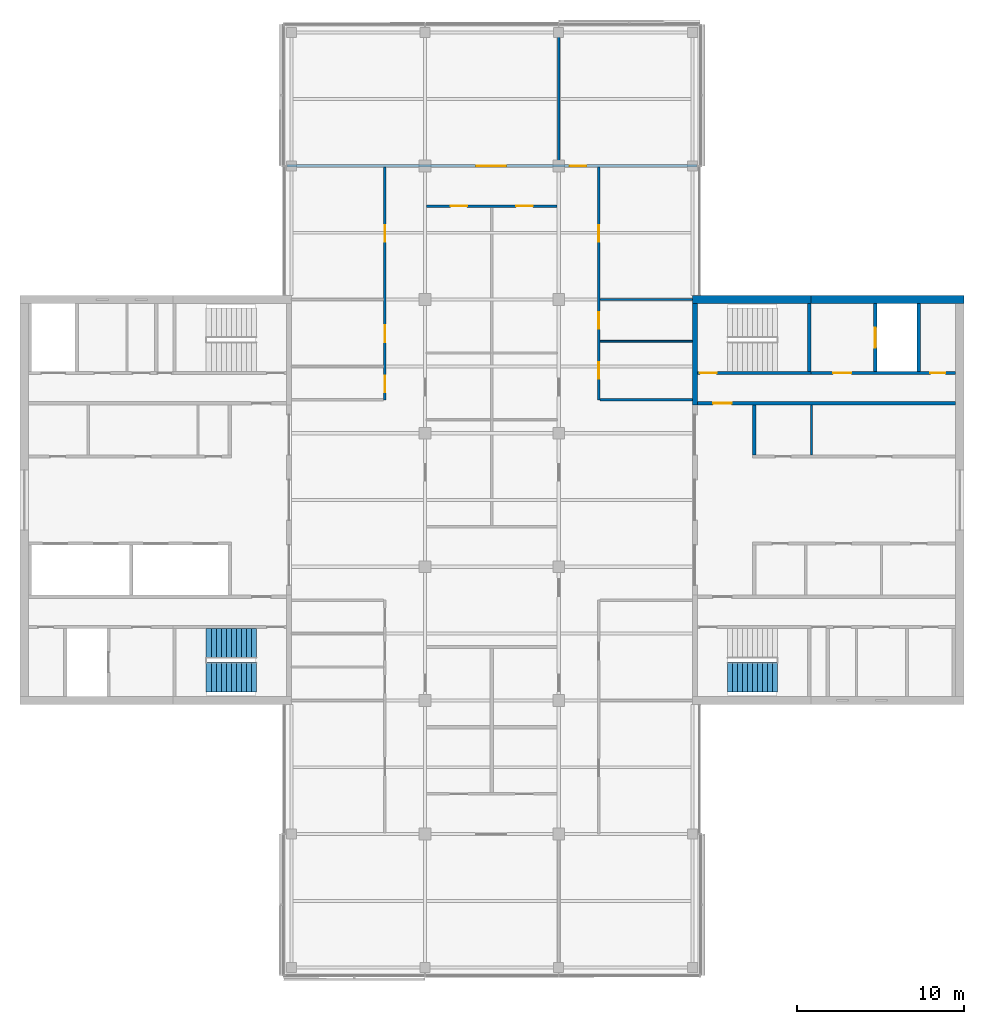
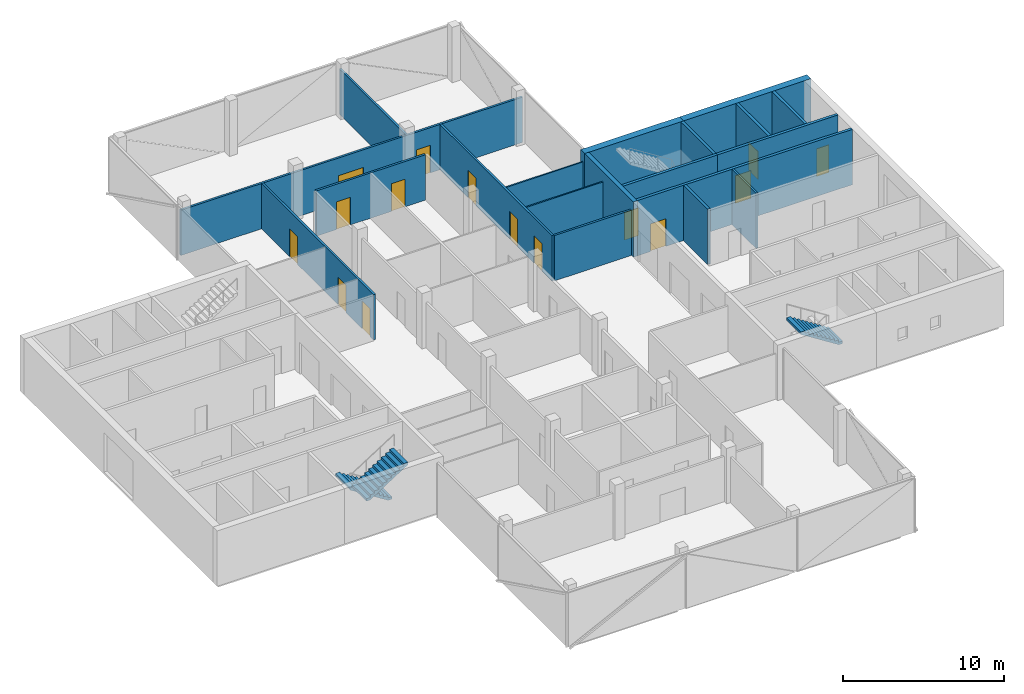
# One storey, part 12 of 16: 19 walls, 15 doors, 3 stair flights, 15 openings, 2 elements without a shape of their own.
"""IFC4 building model written with IfcOpenShell, lengths in metres."""

from ifc_helpers import new_model, si_unit, direction, frame, frame_2d, origin, place, context, subcontext, project, spatial, polyline, rectangle, outline, extrude, material, layer, layer_set, constituent, constituent_set, type_object, element, fill, aggregate, save


model = new_model("IFC4")

# Units and contexts
model_context = context("Model", 3, precision=1e-05, world=origin(), true_north=direction((0.0, 1.0)))
body_context = subcontext(model_context, "Body", "Model", "MODEL_VIEW")
ifc_project = project(units=[si_unit("LENGTHUNIT", "METRE"), si_unit("AREAUNIT", "SQUARE_METRE"), si_unit("VOLUMEUNIT", "CUBIC_METRE"), si_unit("PLANEANGLEUNIT", "RADIAN"), si_unit("MASSUNIT", "GRAM", prefix="KILO")], contexts=[model_context])

# Site, building, storey
site_placement = place(None, origin())
site = spatial("IfcSite", under=ifc_project, at=site_placement, CompositionType="ELEMENT")
building_placement = place(site_placement, origin())
building = spatial("IfcBuilding", under=site, at=building_placement, Name="Crosswind Convention Tower", CompositionType="ELEMENT")
storey_placement = place(building_placement, frame((0.0, 0.0, 278.699951171875)))
storey = spatial("IfcBuildingStorey", under=building, at=storey_placement, Name="L60", CompositionType="ELEMENT", Elevation=278.699951171875)

# Walls
ifc_material_1 = material(Name="Concrete C50/60", Category="concrete")
ifc_layer_1 = layer(ifc_material_1, 0.300048828125)
ifc_layer_set_1 = layer_set([ifc_layer_1], Name="Concrete C50/60")
wall_type_1 = type_object("IfcWallType", Name="Concrete inner core wall 300", PredefinedType="SHEAR", material=ifc_layer_set_1)
wall_1_placement = place(storey_placement, frame((137.14990234375, 105.699951171875, 0.0), z_axis=(0.0, 0.0, 1.0), x_axis=(0.0, 1.0, 0.0)))
element("IfcWall", 1, at=wall_1_placement, inside=storey, type_object=wall_type_1, Name="Wall EP E L60", PredefinedType="SHEAR", context=body_context, shape_type="SweptSolid", body=[
    extrude(rectangle(XDim=6.050048828125, YDim=0.300048828125, at=frame_2d((3.02490234375, 0.0))), origin(), (0.0, 0.0, 1.0), 4.199951171875),
])
ifc_layer_2 = layer(ifc_material_1, 0.199951171875)
ifc_layer_set_2 = layer_set([ifc_layer_2], Name="Concrete C50/60")
wall_type_2 = type_object("IfcWallType", Name="Concrete shaft and stair wall 200", PredefinedType="SHEAR", material=ifc_layer_set_2)
wall_2_placement = place(storey_placement, frame((140.699951171875, 102.699951171875, 0.0), z_axis=(0.0, 0.0, 1.0), x_axis=(0.0, 1.0, 0.0)))
element("IfcWall", 2, at=wall_2_placement, inside=storey, type_object=wall_type_2, Name="Wall RPEND E L60", PredefinedType="SHEAR", context=body_context, shape_type="SweptSolid", body=[
    extrude(rectangle(XDim=3.0, YDim=0.199951171875, at=frame_2d((1.5, 0.0))), origin(), (0.0, 0.0, 1.0), 4.199951171875),
])

# Wall, opening, door
wall_3_placement = place(storey_placement, frame((137.300048828125, 105.800048828125, 0.0), z_axis=(0.0, 0.0, 1.0), x_axis=(1.0, 0.0, 0.0)))
wall_3 = element("IfcWall", 3, at=wall_3_placement, inside=storey, type_object=wall_type_2, Name="Wall HP E L60", PredefinedType="SHEAR", context=body_context, shape_type="SweptSolid", body=[
    extrude(rectangle(XDim=15.449951171875, YDim=0.199951171875, at=frame_2d((7.72509765625, 0.0))), origin(), (0.0, 0.0, 1.0), 4.199951171875),
])
opening_1_placement = place(wall_3_placement, frame((0.949951171875, 0.0, 0.0)))
opening_1 = element("IfcOpeningElement", 4, at=opening_1_placement, cuts=wall_3, Name="Opening D104", PredefinedType="OPENING", context=body_context, shape_type="SweptSolid", body=[
    extrude(rectangle(XDim=1.10009765625, YDim=2.10009765625, at=frame_2d((0.550048828125, 1.050048828125))), frame((0.0, 0.10986328125, 0.0), z_axis=(0.0, -1.0, 0.0), x_axis=(1.0, 0.0, 0.0)), (0.0, 0.0, 1.0), 0.219970703125),
])
ifc_material_2 = material(Name="Steel fire door", Category="steel")
door_type_1 = type_object("IfcDoorType", Name="Fire-rated single door 1100x2100", OperationType="NOTDEFINED", PredefinedType="DOOR", material=ifc_material_2)
door_1_placement = place(opening_1_placement, origin())
door_1 = element("IfcDoor", 5, at=door_1_placement, inside=storey, type_object=door_type_1, Name="Corridor door L60", ObjectType="D104", OperationType="SINGLE_SWING_LEFT", OverallHeight=2.10009765625, OverallWidth=1.10009765625, PredefinedType="DOOR", context=body_context, shape_type="SweptSolid", body=[
    extrude(rectangle(XDim=1.10009765625, YDim=2.10009765625, at=frame_2d((0.550048828125, 1.050048828125))), frame((0.0, 0.02490234375, 0.0), z_axis=(0.0, -1.0, 0.0), x_axis=(1.0, 0.0, 0.0)), (0.0, 0.0, 1.0), 0.050048828125),
])
fill(opening_1, door_1)

# Wall
wall_4_placement = place(storey_placement, frame((144.0, 107.699951171875, 0.0), z_axis=(0.0, 0.0, 1.0), x_axis=(0.0, 1.0, 0.0)))
element("IfcWall", 6, at=wall_4_placement, inside=storey, type_object=wall_type_2, Name="Wall PSE E L60", PredefinedType="SHEAR", context=body_context, shape_type="SweptSolid", body=[
    extrude(rectangle(XDim=4.050048828125, YDim=0.199951171875, at=frame_2d((2.02490234375, 0.0))), origin(), (0.0, 0.0, 1.0), 4.199951171875),
])

# Wall, opening, door
wall_5_placement = place(storey_placement, frame((147.949951171875, 107.699951171875, 0.0), z_axis=(0.0, 0.0, 1.0), x_axis=(0.0, 1.0, 0.0)))
wall_5 = element("IfcWall", 7, at=wall_5_placement, inside=storey, type_object=wall_type_2, Name="Wall PFLW E L60", PredefinedType="SHEAR", context=body_context, shape_type="SweptSolid", body=[
    extrude(rectangle(XDim=4.050048828125, YDim=0.199951171875, at=frame_2d((2.02490234375, 0.0))), origin(), (0.0, 0.0, 1.0), 4.199951171875),
])
opening_2_placement = place(wall_5_placement, frame((1.425048828125, 0.0, 0.0)))
opening_2 = element("IfcOpeningElement", 8, at=opening_2_placement, cuts=wall_5, Name="Opening LD1", PredefinedType="OPENING", context=body_context, shape_type="SweptSolid", body=[
    extrude(rectangle(XDim=1.199951171875, YDim=2.10009765625, at=frame_2d((0.60009765625, 1.050048828125))), frame((0.0, 0.10986328125, 0.0), z_axis=(0.0, -1.0, 0.0), x_axis=(1.0, 0.0, 0.0)), (0.0, 0.0, 1.0), 0.219970703125),
])
ifc_material_3 = material(Name="Stainless steel", Category="steel")
door_type_2 = type_object("IfcDoorType", Name="Lift landing door 1200x2100", OperationType="DOUBLE_DOOR_SLIDING", PredefinedType="DOOR", material=ifc_material_3)
door_2_placement = place(opening_2_placement, origin())
door_2 = element("IfcDoor", 9, at=door_2_placement, inside=storey, type_object=door_type_2, Name="Landing door FF1 L60", ObjectType="LD1", OperationType="DOUBLE_DOOR_SLIDING", OverallHeight=2.10009765625, OverallWidth=1.199951171875, PredefinedType="DOOR", context=body_context, shape_type="SweptSolid", body=[
    extrude(rectangle(XDim=1.199951171875, YDim=2.10009765625, at=frame_2d((0.60009765625, 1.050048828125))), frame((0.0, 0.02490234375, 0.0), z_axis=(0.0, -1.0, 0.0), x_axis=(1.0, 0.0, 0.0)), (0.0, 0.0, 1.0), 0.050048828125),
])
fill(opening_2, door_2)

# Wall
wall_6_placement = place(storey_placement, frame((150.550048828125, 107.699951171875, 0.0), z_axis=(0.0, 0.0, 1.0), x_axis=(0.0, 1.0, 0.0)))
element("IfcWall", 10, at=wall_6_placement, inside=storey, type_object=wall_type_2, Name="Wall PFSE E L60", PredefinedType="SHEAR", context=body_context, shape_type="SweptSolid", body=[
    extrude(rectangle(XDim=4.050048828125, YDim=0.199951171875, at=frame_2d((2.02490234375, 0.0))), origin(), (0.0, 0.0, 1.0), 4.199951171875),
])

# Wall, opening, door
wall_7_placement = place(storey_placement, frame((137.300048828125, 107.60009765625, 0.0), z_axis=(0.0, 0.0, 1.0), x_axis=(1.0, 0.0, 0.0)))
wall_7 = element("IfcWall", 11, at=wall_7_placement, inside=storey, type_object=wall_type_2, Name="Wall PCW E L60", PredefinedType="SHEAR", context=body_context, shape_type="SweptSolid", body=[
    extrude(rectangle(XDim=6.800048828125, YDim=0.199951171875, at=frame_2d((3.39990234375, 0.0))), origin(), (0.0, 0.0, 1.0), 4.199951171875),
])
opening_3_placement = place(wall_7_placement, frame((0.14990234375, 0.0, 0.0)))
opening_3 = element("IfcOpeningElement", 12, at=opening_3_placement, cuts=wall_7, Name="Opening D103", PredefinedType="OPENING", context=body_context, shape_type="SweptSolid", body=[
    extrude(rectangle(XDim=1.0, YDim=2.10009765625, at=frame_2d((0.5, 1.050048828125))), frame((0.0, 0.10986328125, 0.0), z_axis=(0.0, -1.0, 0.0), x_axis=(1.0, 0.0, 0.0)), (0.0, 0.0, 1.0), 0.219970703125),
])
door_type_3 = type_object("IfcDoorType", Name="Fire-rated single door 1000x2100", OperationType="NOTDEFINED", PredefinedType="DOOR", material=ifc_material_2)
door_3_placement = place(opening_3_placement, origin())
door_3 = element("IfcDoor", 13, at=door_3_placement, inside=storey, type_object=door_type_3, Name="Stair ST1 door L60", ObjectType="D103", OperationType="SINGLE_SWING_LEFT", OverallHeight=2.10009765625, OverallWidth=1.0, PredefinedType="DOOR", context=body_context, shape_type="SweptSolid", body=[
    extrude(rectangle(XDim=1.0, YDim=2.10009765625, at=frame_2d((0.5, 1.050048828125))), frame((0.0, 0.02490234375, 0.0), z_axis=(0.0, -1.0, 0.0), x_axis=(1.0, 0.0, 0.0)), (0.0, 0.0, 1.0), 0.050048828125),
])
fill(opening_3, door_3)

# Wall, openings, doors
wall_8_placement = place(storey_placement, frame((144.10009765625, 107.60009765625, 0.0), z_axis=(0.0, 0.0, 1.0), x_axis=(1.0, 0.0, 0.0)))
wall_8 = element("IfcWall", 14, at=wall_8_placement, inside=storey, type_object=wall_type_2, Name="Wall PCX E L60", PredefinedType="SHEAR", context=body_context, shape_type="SweptSolid", body=[
    extrude(rectangle(XDim=8.64990234375, YDim=0.199951171875, at=frame_2d((4.324951171875, 0.0))), origin(), (0.0, 0.0, 1.0), 4.199951171875),
])
opening_4_placement = place(wall_8_placement, frame((1.324951171875, 0.0, 0.0)))
opening_4 = element("IfcOpeningElement", 15, at=opening_4_placement, cuts=wall_8, Name="Opening D104", PredefinedType="OPENING", context=body_context, shape_type="SweptSolid", body=[
    extrude(rectangle(XDim=1.10009765625, YDim=2.10009765625, at=frame_2d((0.550048828125, 1.050048828125))), frame((0.0, 0.10986328125, 0.0), z_axis=(0.0, -1.0, 0.0), x_axis=(1.0, 0.0, 0.0)), (0.0, 0.0, 1.0), 0.219970703125),
])
opening_5_placement = place(wall_8_placement, frame((7.14990234375, 0.0, 0.0)))
opening_5 = element("IfcOpeningElement", 16, at=opening_5_placement, cuts=wall_8, Name="Opening D106", PredefinedType="OPENING", context=body_context, shape_type="SweptSolid", body=[
    extrude(rectangle(XDim=0.89990234375, YDim=2.10009765625, at=frame_2d((0.449951171875, 1.050048828125))), frame((0.0, 0.10986328125, 0.0), z_axis=(0.0, -1.0, 0.0), x_axis=(1.0, 0.0, 0.0)), (0.0, 0.0, 1.0), 0.219970703125),
])
door_4_placement = place(opening_4_placement, origin())
door_4 = element("IfcDoor", 17, at=door_4_placement, inside=storey, type_object=door_type_1, Name="Fire-fighting lobby FF1 door L60", ObjectType="D104", OperationType="SINGLE_SWING_RIGHT", OverallHeight=2.10009765625, OverallWidth=1.10009765625, PredefinedType="DOOR", context=body_context, shape_type="SweptSolid", body=[
    extrude(rectangle(XDim=1.10009765625, YDim=2.10009765625, at=frame_2d((0.550048828125, 1.050048828125))), frame((0.0, 0.02490234375, 0.0), z_axis=(0.0, -1.0, 0.0), x_axis=(1.0, 0.0, 0.0)), (0.0, 0.0, 1.0), 0.050048828125),
])
fill(opening_4, door_4)
ifc_material_4 = material(Name="Timber door", Category="wood")
door_type_4 = type_object("IfcDoorType", Name="Single leaf door 900x2100", OperationType="NOTDEFINED", PredefinedType="DOOR", material=ifc_material_4)
door_5_placement = place(opening_5_placement, origin())
door_5 = element("IfcDoor", 18, at=door_5_placement, inside=storey, type_object=door_type_4, Name="Door to comms room L60", ObjectType="D106", OperationType="SINGLE_SWING_RIGHT", OverallHeight=2.10009765625, OverallWidth=0.89990234375, PredefinedType="DOOR", context=body_context, shape_type="SweptSolid", body=[
    extrude(rectangle(XDim=0.89990234375, YDim=2.10009765625, at=frame_2d((0.449951171875, 1.050048828125))), frame((0.0, 0.02490234375, 0.0), z_axis=(0.0, -1.0, 0.0), x_axis=(1.0, 0.0, 0.0)), (0.0, 0.0, 1.0), 0.050048828125),
])
fill(opening_5, door_5)

# Walls
ifc_material_5 = material(Name="Gypsum plasterboard partition", Category="gypsum")
ifc_layer_3 = layer(ifc_material_5, 0.125)
ifc_layer_set_3 = layer_set([ifc_layer_3], Name="Drywall partition wall 125")
wall_type_3 = type_object("IfcWallType", Name="Drywall partition wall 125", PredefinedType="PARTITIONING", material=ifc_layer_set_3)
wall_9_placement = place(storey_placement, frame((144.14599609375, 102.699951171875, 0.0), z_axis=(0.0, 0.0, 1.0), x_axis=(0.0, 1.0, 0.0)))
element("IfcWall", 19, at=wall_9_placement, inside=storey, type_object=wall_type_3, Name="Wall RPP1 E L60", PredefinedType="PARTITIONING", context=body_context, shape_type="SweptSolid", body=[
    extrude(rectangle(XDim=3.0, YDim=0.125, at=frame_2d((1.5, 0.0))), origin(), (0.0, 0.0, 1.0), 4.199951171875),
])
ifc_material_6 = material(Name="Plasterboard partition", Category="gypsum")
ifc_layer_4 = layer(ifc_material_6, 0.10009765625)
ifc_layer_set_4 = layer_set([ifc_layer_4], Name="PARTITION 100 METAL STUD")
wall_type_4 = type_object("IfcWallType", Name="PARTITION 100 METAL STUD", PredefinedType="PARTITIONING", material=ifc_layer_set_4)
for number, where, z_axis, x_axis, name in (
    (20, (131.47509765625, 109.5, 0.0), (0.0, 0.0, 1.0), (1.0, 0.0, 0.0), "Partition wall WT40"),
    (21, (131.47509765625, 112.0, 0.0), (0.0, 0.0, 1.0), (1.0, 0.0, 0.0), "Partition wall WT40"),
):
    element("IfcWall", number, at=place(storey_placement, frame(where, z_axis=z_axis, x_axis=x_axis)), inside=storey, type_object=wall_type_4, Name=name, PredefinedType="PARTITIONING", context=body_context, shape_type="SweptSolid", body=[
        extrude(rectangle(XDim=5.52490234375, YDim=0.10009765625, at=frame_2d((2.762451171875, 0.0))), origin(), (0.0, 0.0, 1.0), 3.44287109375),
    ])

# Wall, openings, doors
ifc_material_7 = material(Name="Fire-board partition with mineral wool", Category="gypsum")
ifc_layer_5 = layer(ifc_material_7, 0.14990234375)
ifc_layer_set_5 = layer_set([ifc_layer_5], Name="TENANCY WALL 150 TWO-HOUR BOARD")
wall_type_5 = type_object("IfcWallType", Name="TENANCY WALL 150 TWO-HOUR BOARD", PredefinedType="PARTITIONING", material=ifc_layer_set_5)
wall_10_placement = place(storey_placement, frame((118.60009765625, 106.0, 0.0), z_axis=(0.0, 0.0, 1.0), x_axis=(0.0, 1.0, 0.0)))
wall_10 = element("IfcWall", 22, at=wall_10_placement, inside=storey, type_object=wall_type_5, Name="Tenancy wall WT41", PredefinedType="PARTITIONING", context=body_context, shape_type="SweptSolid", body=[
    extrude(rectangle(XDim=13.925048828125, YDim=0.14990234375, at=frame_2d((6.96240234375, 0.0))), origin(), (0.0, 0.0, 1.0), 3.44287109375),
])
opening_6_placement = place(wall_10_placement, frame((0.449951171875, 0.0, 0.0)))
opening_6 = element("IfcOpeningElement", 23, at=opening_6_placement, cuts=wall_10, Name="Opening L60-55", PredefinedType="OPENING", context=body_context, shape_type="SweptSolid", body=[
    extrude(rectangle(XDim=1.0, YDim=2.10009765625, at=frame_2d((0.5, 1.050048828125))), frame((0.0, 0.0849609375, 0.0), z_axis=(0.0, -1.0, 0.0), x_axis=(1.0, 0.0, 0.0)), (0.0, 0.0, 1.0), 0.169921875),
])
opening_7_placement = place(wall_10_placement, frame((3.449951171875, 0.0, 0.0)))
opening_7 = element("IfcOpeningElement", 24, at=opening_7_placement, cuts=wall_10, Name="Opening L60-56", PredefinedType="OPENING", context=body_context, shape_type="SweptSolid", body=[
    extrude(rectangle(XDim=1.0, YDim=2.10009765625, at=frame_2d((0.5, 1.050048828125))), frame((0.0, 0.0849609375, 0.0), z_axis=(0.0, -1.0, 0.0), x_axis=(1.0, 0.0, 0.0)), (0.0, 0.0, 1.0), 0.169921875),
])
opening_8_placement = place(wall_10_placement, frame((9.449951171875, 0.0, 0.0)))
opening_8 = element("IfcOpeningElement", 25, at=opening_8_placement, cuts=wall_10, Name="Opening L60-57", PredefinedType="OPENING", context=body_context, shape_type="SweptSolid", body=[
    extrude(rectangle(XDim=1.0, YDim=2.10009765625, at=frame_2d((0.5, 1.050048828125))), frame((0.0, 0.0849609375, 0.0), z_axis=(0.0, -1.0, 0.0), x_axis=(1.0, 0.0, 0.0)), (0.0, 0.0, 1.0), 0.169921875),
])
ifc_material_8 = material(Name="Timber fire door", Category="wood")
door_type_5 = type_object("IfcDoorType", Name="TENANCY ENTRANCE DOOR 1000X2100 FD30S", OperationType="NOTDEFINED", PredefinedType="DOOR", material=ifc_material_8)
door_6_placement = place(opening_6_placement, origin())
door_6 = element("IfcDoor", 26, at=door_6_placement, inside=storey, type_object=door_type_5, Name="Door L60-55", ObjectType="D41", OperationType="SINGLE_SWING_LEFT", OverallHeight=2.10009765625, OverallWidth=1.0, PredefinedType="DOOR", context=body_context, shape_type="SweptSolid", body=[
    extrude(rectangle(XDim=1.0, YDim=2.10009765625, at=frame_2d((0.5, 1.050048828125))), frame((0.0, 0.02490234375, 0.0), z_axis=(0.0, -1.0, 0.0), x_axis=(1.0, 0.0, 0.0)), (0.0, 0.0, 1.0), 0.050048828125),
])
fill(opening_6, door_6)
door_7_placement = place(opening_7_placement, origin())
door_7 = element("IfcDoor", 27, at=door_7_placement, inside=storey, type_object=door_type_5, Name="Door L60-56", ObjectType="D41", OperationType="SINGLE_SWING_LEFT", OverallHeight=2.10009765625, OverallWidth=1.0, PredefinedType="DOOR", context=body_context, shape_type="SweptSolid", body=[
    extrude(rectangle(XDim=1.0, YDim=2.10009765625, at=frame_2d((0.5, 1.050048828125))), frame((0.0, 0.02490234375, 0.0), z_axis=(0.0, -1.0, 0.0), x_axis=(1.0, 0.0, 0.0)), (0.0, 0.0, 1.0), 0.050048828125),
])
fill(opening_7, door_7)
door_8_placement = place(opening_8_placement, origin())
door_8 = element("IfcDoor", 28, at=door_8_placement, inside=storey, type_object=door_type_5, Name="Door L60-57", ObjectType="D41", OperationType="SINGLE_SWING_LEFT", OverallHeight=2.10009765625, OverallWidth=1.0, PredefinedType="DOOR", context=body_context, shape_type="SweptSolid", body=[
    extrude(rectangle(XDim=1.0, YDim=2.10009765625, at=frame_2d((0.5, 1.050048828125))), frame((0.0, 0.02490234375, 0.0), z_axis=(0.0, -1.0, 0.0), x_axis=(1.0, 0.0, 0.0)), (0.0, 0.0, 1.0), 0.050048828125),
])
fill(opening_8, door_8)

# Wall
wall_11_placement = place(storey_placement, frame((129.0, 120.074951171875, 0.0), z_axis=(0.0, 0.0, 1.0), x_axis=(0.0, 1.0, 0.0)))
element("IfcWall", 29, at=wall_11_placement, inside=storey, type_object=wall_type_5, Name="Tenancy wall WT41", PredefinedType="PARTITIONING", context=body_context, shape_type="SweptSolid", body=[
    extrude(rectangle(XDim=8.195068359375, YDim=0.14990234375, at=frame_2d((4.09765625, 0.0))), origin(), (0.0, 0.0, 1.0), 3.44287109375),
])

# Wall, openings, doors
wall_12_placement = place(storey_placement, frame((131.39990234375, 106.0, 0.0), z_axis=(0.0, 0.0, 1.0), x_axis=(0.0, 1.0, 0.0)))
wall_12 = element("IfcWall", 30, at=wall_12_placement, inside=storey, type_object=wall_type_5, Name="Tenancy wall WT41", PredefinedType="PARTITIONING", context=body_context, shape_type="SweptSolid", body=[
    extrude(rectangle(XDim=13.925048828125, YDim=0.14990234375, at=frame_2d((6.96240234375, 0.0))), origin(), (0.0, 0.0, 1.0), 3.44287109375),
])
opening_9_placement = place(wall_12_placement, frame((1.25, 0.0, 0.0)))
opening_9 = element("IfcOpeningElement", 31, at=opening_9_placement, cuts=wall_12, Name="Opening L60-50", PredefinedType="OPENING", context=body_context, shape_type="SweptSolid", body=[
    extrude(rectangle(XDim=1.0, YDim=2.10009765625, at=frame_2d((0.5, 1.050048828125))), frame((0.0, 0.0849609375, 0.0), z_axis=(0.0, -1.0, 0.0), x_axis=(1.0, 0.0, 0.0)), (0.0, 0.0, 1.0), 0.169921875),
])
opening_10_placement = place(wall_12_placement, frame((4.25, 0.0, 0.0)))
opening_10 = element("IfcOpeningElement", 32, at=opening_10_placement, cuts=wall_12, Name="Opening L60-51", PredefinedType="OPENING", context=body_context, shape_type="SweptSolid", body=[
    extrude(rectangle(XDim=1.0, YDim=2.10009765625, at=frame_2d((0.5, 1.050048828125))), frame((0.0, 0.0849609375, 0.0), z_axis=(0.0, -1.0, 0.0), x_axis=(1.0, 0.0, 0.0)), (0.0, 0.0, 1.0), 0.169921875),
])
opening_11_placement = place(wall_12_placement, frame((9.449951171875, 0.0, 0.0)))
opening_11 = element("IfcOpeningElement", 33, at=opening_11_placement, cuts=wall_12, Name="Opening L60-52", PredefinedType="OPENING", context=body_context, shape_type="SweptSolid", body=[
    extrude(rectangle(XDim=1.0, YDim=2.10009765625, at=frame_2d((0.5, 1.050048828125))), frame((0.0, 0.0849609375, 0.0), z_axis=(0.0, -1.0, 0.0), x_axis=(1.0, 0.0, 0.0)), (0.0, 0.0, 1.0), 0.169921875),
])
door_9_placement = place(opening_9_placement, frame((1.0, 0.0, 0.0), z_axis=(0.0, 0.0, 1.0), x_axis=(-1.0, 0.0, 0.0)))
door_9 = element("IfcDoor", 34, at=door_9_placement, inside=storey, type_object=door_type_5, Name="Door L60-50", ObjectType="D41", OperationType="SINGLE_SWING_LEFT", OverallHeight=2.10009765625, OverallWidth=1.0, PredefinedType="DOOR", context=body_context, shape_type="SweptSolid", body=[
    extrude(rectangle(XDim=1.0, YDim=2.10009765625, at=frame_2d((0.5, 1.050048828125))), frame((0.0, 0.02490234375, 0.0), z_axis=(0.0, -1.0, 0.0), x_axis=(1.0, 0.0, 0.0)), (0.0, 0.0, 1.0), 0.050048828125),
])
fill(opening_9, door_9)
door_10_placement = place(opening_10_placement, frame((1.0, 0.0, 0.0), z_axis=(0.0, 0.0, 1.0), x_axis=(-1.0, 0.0, 0.0)))
door_10 = element("IfcDoor", 35, at=door_10_placement, inside=storey, type_object=door_type_5, Name="Door L60-51", ObjectType="D41", OperationType="SINGLE_SWING_LEFT", OverallHeight=2.10009765625, OverallWidth=1.0, PredefinedType="DOOR", context=body_context, shape_type="SweptSolid", body=[
    extrude(rectangle(XDim=1.0, YDim=2.10009765625, at=frame_2d((0.5, 1.050048828125))), frame((0.0, 0.02490234375, 0.0), z_axis=(0.0, -1.0, 0.0), x_axis=(1.0, 0.0, 0.0)), (0.0, 0.0, 1.0), 0.050048828125),
])
fill(opening_10, door_10)
door_11_placement = place(opening_11_placement, frame((1.0, 0.0, 0.0), z_axis=(0.0, 0.0, 1.0), x_axis=(-1.0, 0.0, 0.0)))
door_11 = element("IfcDoor", 36, at=door_11_placement, inside=storey, type_object=door_type_5, Name="Door L60-52", ObjectType="D41", OperationType="SINGLE_SWING_RIGHT", OverallHeight=2.10009765625, OverallWidth=1.0, PredefinedType="DOOR", context=body_context, shape_type="SweptSolid", body=[
    extrude(rectangle(XDim=1.0, YDim=2.10009765625, at=frame_2d((0.5, 1.050048828125))), frame((0.0, 0.02490234375, 0.0), z_axis=(0.0, -1.0, 0.0), x_axis=(1.0, 0.0, 0.0)), (0.0, 0.0, 1.0), 0.050048828125),
])
fill(opening_11, door_11)

# Wall
wall_13_placement = place(storey_placement, frame((131.47509765625, 106.0, 0.0), z_axis=(0.0, 0.0, 1.0), x_axis=(1.0, 0.0, 0.0)))
element("IfcWall", 37, at=wall_13_placement, inside=storey, type_object=wall_type_5, Name="Tenancy wall WT41", PredefinedType="PARTITIONING", context=body_context, shape_type="SweptSolid", body=[
    extrude(rectangle(XDim=5.52490234375, YDim=0.14990234375, at=frame_2d((2.762451171875, 0.0))), origin(), (0.0, 0.0, 1.0), 3.44287109375),
])

# Wall, openings, doors
wall_14_placement = place(storey_placement, frame((121.074951171875, 117.60009765625, 0.0), z_axis=(0.0, 0.0, 1.0), x_axis=(1.0, 0.0, 0.0)))
wall_14 = element("IfcWall", 38, at=wall_14_placement, inside=storey, type_object=wall_type_5, Name="Tenancy wall WT41", PredefinedType="PARTITIONING", context=body_context, shape_type="SweptSolid", body=[
    extrude(rectangle(XDim=7.824951171875, YDim=0.14990234375, at=frame_2d((3.91259765625, 0.0))), origin(), (0.0, 0.0, 1.0), 3.44287109375),
])
opening_12_placement = place(wall_14_placement, frame((1.449951171875, 0.0, 0.0)))
opening_12 = element("IfcOpeningElement", 39, at=opening_12_placement, cuts=wall_14, Name="Opening L60-74", PredefinedType="OPENING", context=body_context, shape_type="SweptSolid", body=[
    extrude(rectangle(XDim=1.0, YDim=2.10009765625, at=frame_2d((0.5, 1.050048828125))), frame((0.0, 0.0849609375, 0.0), z_axis=(0.0, -1.0, 0.0), x_axis=(1.0, 0.0, 0.0)), (0.0, 0.0, 1.0), 0.169921875),
])
opening_13_placement = place(wall_14_placement, frame((5.375, 0.0, 0.0)))
opening_13 = element("IfcOpeningElement", 40, at=opening_13_placement, cuts=wall_14, Name="Opening L60-75", PredefinedType="OPENING", context=body_context, shape_type="SweptSolid", body=[
    extrude(rectangle(XDim=1.0, YDim=2.10009765625, at=frame_2d((0.5, 1.050048828125))), frame((0.0, 0.0849609375, 0.0), z_axis=(0.0, -1.0, 0.0), x_axis=(1.0, 0.0, 0.0)), (0.0, 0.0, 1.0), 0.169921875),
])
door_12_placement = place(opening_12_placement, frame((1.0, 0.0, 0.0), z_axis=(0.0, 0.0, 1.0), x_axis=(-1.0, 0.0, 0.0)))
door_12 = element("IfcDoor", 41, at=door_12_placement, inside=storey, type_object=door_type_5, Name="Door L60-74", ObjectType="D41", OperationType="SINGLE_SWING_LEFT", OverallHeight=2.10009765625, OverallWidth=1.0, PredefinedType="DOOR", context=body_context, shape_type="SweptSolid", body=[
    extrude(rectangle(XDim=1.0, YDim=2.10009765625, at=frame_2d((0.5, 1.050048828125))), frame((0.0, 0.02490234375, 0.0), z_axis=(0.0, -1.0, 0.0), x_axis=(1.0, 0.0, 0.0)), (0.0, 0.0, 1.0), 0.050048828125),
])
fill(opening_12, door_12)
door_13_placement = place(opening_13_placement, frame((1.0, 0.0, 0.0), z_axis=(0.0, 0.0, 1.0), x_axis=(-1.0, 0.0, 0.0)))
door_13 = element("IfcDoor", 42, at=door_13_placement, inside=storey, type_object=door_type_5, Name="Door L60-75", ObjectType="D41", OperationType="SINGLE_SWING_RIGHT", OverallHeight=2.10009765625, OverallWidth=1.0, PredefinedType="DOOR", context=body_context, shape_type="SweptSolid", body=[
    extrude(rectangle(XDim=1.0, YDim=2.10009765625, at=frame_2d((0.5, 1.050048828125))), frame((0.0, 0.02490234375, 0.0), z_axis=(0.0, -1.0, 0.0), x_axis=(1.0, 0.0, 0.0)), (0.0, 0.0, 1.0), 0.050048828125),
])
fill(opening_13, door_13)

wall_15_placement = place(storey_placement, frame((112.72998046875, 120.0, 0.0), z_axis=(0.0, 0.0, 1.0), x_axis=(1.0, 0.0, 0.0)))
wall_15 = element("IfcWall", 43, at=wall_15_placement, inside=storey, type_object=wall_type_5, Name="Tenancy wall WT41", PredefinedType="PARTITIONING", context=body_context, shape_type="SweptSolid", body=[
    extrude(rectangle(XDim=24.5400390625, YDim=0.14990234375, at=frame_2d((12.27001953125, 0.0))), origin(), (0.0, 0.0, 1.0), 3.44287109375),
])
opening_14_placement = place(wall_15_placement, frame((11.320068359375, 0.0, 0.0)))
opening_14 = element("IfcOpeningElement", 44, at=opening_14_placement, cuts=wall_15, Name="Opening L60-62", PredefinedType="OPENING", context=body_context, shape_type="SweptSolid", body=[
    extrude(rectangle(XDim=1.800048828125, YDim=2.10009765625, at=frame_2d((0.89990234375, 1.050048828125))), frame((0.0, 0.0849609375, 0.0), z_axis=(0.0, -1.0, 0.0), x_axis=(1.0, 0.0, 0.0)), (0.0, 0.0, 1.0), 0.169921875),
])
opening_15_placement = place(wall_15_placement, frame((16.919921875, 0.0, 0.0)))
opening_15 = element("IfcOpeningElement", 45, at=opening_15_placement, cuts=wall_15, Name="Opening L60-63", PredefinedType="OPENING", context=body_context, shape_type="SweptSolid", body=[
    extrude(rectangle(XDim=1.0, YDim=2.10009765625, at=frame_2d((0.5, 1.050048828125))), frame((0.0, 0.0849609375, 0.0), z_axis=(0.0, -1.0, 0.0), x_axis=(1.0, 0.0, 0.0)), (0.0, 0.0, 1.0), 0.169921875),
])
door_14_placement = place(opening_15_placement, frame((1.0, 0.0, 0.0), z_axis=(0.0, 0.0, 1.0), x_axis=(-1.0, 0.0, 0.0)))
door_14 = element("IfcDoor", 46, at=door_14_placement, inside=storey, type_object=door_type_5, Name="Door L60-63", ObjectType="D41", OperationType="SINGLE_SWING_RIGHT", OverallHeight=2.10009765625, OverallWidth=1.0, PredefinedType="DOOR", context=body_context, shape_type="SweptSolid", body=[
    extrude(rectangle(XDim=1.0, YDim=2.10009765625, at=frame_2d((0.5, 1.050048828125))), frame((0.0, 0.02490234375, 0.0), z_axis=(0.0, -1.0, 0.0), x_axis=(1.0, 0.0, 0.0)), (0.0, 0.0, 1.0), 0.050048828125),
])
fill(opening_15, door_14)
door_type_6 = type_object("IfcDoorType", Name="TENANCY ENTRANCE DOUBLE DOOR 1800X2100 FD30S", OperationType="DOUBLE_DOOR_SINGLE_SWING", PredefinedType="DOOR", material=ifc_material_8)
door_15_placement = place(opening_14_placement, origin())
door_15 = element("IfcDoor", 47, at=door_15_placement, inside=storey, type_object=door_type_6, Name="Door L60-62", ObjectType="D42", OperationType="DOUBLE_DOOR_SINGLE_SWING", OverallHeight=2.10009765625, OverallWidth=1.800048828125, PredefinedType="DOOR", context=body_context, shape_type="SweptSolid", body=[
    extrude(rectangle(XDim=1.800048828125, YDim=2.10009765625, at=frame_2d((0.89990234375, 1.050048828125))), frame((0.0, 0.02490234375, 0.0), z_axis=(0.0, -1.0, 0.0), x_axis=(1.0, 0.0, 0.0)), (0.0, 0.0, 1.0), 0.050048828125),
])
fill(opening_14, door_15)

# Walls
ifc_material_9 = material(Name="Concrete C60/75", Category="concrete")
ifc_constituent_1 = constituent(ifc_material_9, Name="Structure")
ifc_material_10 = material(Name="Terracotta rainscreen", Category="ceramic")
ifc_constituent_2 = constituent(ifc_material_10, Name="Facing")
ifc_constituent_set = constituent_set(constituents=[ifc_constituent_1, ifc_constituent_2], Name="Concrete C60/75, Terracotta rainscreen")
wall_type_6 = type_object("IfcWallType", Name="Terracotta rainscreen on concrete core wall 500", PredefinedType="SHEAR", material=ifc_constituent_set)
wall_16_placement = place(storey_placement, frame((137.0, 112.0, 0.0), z_axis=(0.0, 0.0, 1.0), x_axis=(1.0, 0.0, 0.0)))
element("IfcWall", 48, at=wall_16_placement, inside=storey, type_object=wall_type_6, Name="Wall N1 E L60", PredefinedType="SHEAR", context=body_context, shape_type="SweptSolid", body=[
    extrude(rectangle(XDim=7.10009765625, YDim=0.5, at=frame_2d((3.550048828125, 0.0))), origin(), (0.0, 0.0, 1.0), 4.199951171875),
])
wall_17_placement = place(storey_placement, frame((144.10009765625, 112.0, 0.0), z_axis=(0.0, 0.0, 1.0), x_axis=(1.0, 0.0, 0.0)))
element("IfcWall", 49, at=wall_17_placement, inside=storey, type_object=wall_type_6, Name="Wall N2 E L60", PredefinedType="SHEAR", context=body_context, shape_type="SweptSolid", body=[
    extrude(rectangle(XDim=9.14990234375, YDim=0.5, at=frame_2d((4.574951171875, 0.0))), origin(), (0.0, 0.0, 1.0), 4.199951171875),
])

# Stair, stair flight
ifc_material_11 = material(Name="Concrete C40/50", Category="concrete")
stair_type = type_object("IfcStairType", Name="Exit stair 1800 wide, 2 flights of 11 risers", PredefinedType="HALF_TURN_STAIR", material=ifc_material_11)
stair_1_placement = place(storey_placement, origin())
stair_1 = element("IfcStair", 50, at=stair_1_placement, inside=storey, type_object=stair_type, Name="Exit stair ST2 L60", ObjectType="ST5", PredefinedType="HALF_TURN_STAIR")
stair_flight_type = type_object("IfcStairFlightType", Name="Stair flight 1800 wide, 11 risers (SF4)", PredefinedType="STRAIGHT", material=ifc_material_11)
stair_flight_1_placement = place(storey_placement, frame((142.10009765625, 89.39990234375, 2.10009765625), z_axis=(0.0, 0.0, 1.0), x_axis=(-1.0, 0.0, 0.0)))
stair_flight_1 = element("IfcStairFlight", 51, at=stair_flight_1_placement, type_object=stair_flight_type, Name="ST2 flight 2", NumberOfRisers=11, NumberOfTreads=10, PredefinedType="STRAIGHT", RiserHeight=0.190909091, TreadLength=0.3, context=body_context, shape_type="SweptSolid", body=[
    extrude(outline(polyline([(0.0, 0.0), (0.0, 0.19091796875), (0.300048828125, 0.19091796875), (0.300048828125, 0.3818359375), (0.60009765625, 0.3818359375), (0.60009765625, 0.57275390625), (0.89990234375, 0.57275390625), (0.89990234375, 0.763671875), (1.199951171875, 0.763671875), (1.199951171875, 0.95458984375), (1.5, 0.95458984375), (1.5, 1.1455078125), (1.800048828125, 1.1455078125), (1.800048828125, 1.33642578125), (2.10009765625, 1.33642578125), (2.10009765625, 1.52734375), (2.39990234375, 1.52734375), (2.39990234375, 1.71826171875), (2.699951171875, 1.71826171875), (2.699951171875, 1.9091796875), (3.0, 1.9091796875), (3.0, 2.10009765625), (3.0, 1.7314453125), (0.279296875, 0.0), (0.0, 0.0)])), frame((0.0, 0.89990234375, 0.0), z_axis=(0.0, -1.0, 0.0), x_axis=(1.0, 0.0, 0.0)), (0.0, 0.0, 1.0), 1.800048828125),
])
aggregate(stair_1, [stair_flight_1])

# Stair, stair flights
stair_2_placement = place(storey_placement, origin())
stair_2 = element("IfcStair", 52, at=stair_2_placement, inside=storey, type_object=stair_type, Name="Exit stair ST3 L60", ObjectType="ST5", PredefinedType="HALF_TURN_STAIR")
stair_flight_2_placement = place(storey_placement, frame((110.89990234375, 91.39990234375, 0.0), z_axis=(0.0, 0.0, 1.0), x_axis=(-1.0, 0.0, 0.0)))
stair_flight_2 = element("IfcStairFlight", 53, at=stair_flight_2_placement, type_object=stair_flight_type, Name="ST3 flight 1", NumberOfRisers=11, NumberOfTreads=10, PredefinedType="STRAIGHT", RiserHeight=0.190909091, TreadLength=0.3, context=body_context, shape_type="SweptSolid", body=[
    extrude(outline(polyline([(0.0, 0.0), (0.0, 0.19091796875), (0.300048828125, 0.19091796875), (0.300048828125, 0.3818359375), (0.60009765625, 0.3818359375), (0.60009765625, 0.57275390625), (0.89990234375, 0.57275390625), (0.89990234375, 0.763671875), (1.199951171875, 0.763671875), (1.199951171875, 0.95458984375), (1.5, 0.95458984375), (1.5, 1.1455078125), (1.800048828125, 1.1455078125), (1.800048828125, 1.33642578125), (2.10009765625, 1.33642578125), (2.10009765625, 1.52734375), (2.39990234375, 1.52734375), (2.39990234375, 1.71826171875), (2.699951171875, 1.71826171875), (2.699951171875, 1.9091796875), (3.0, 1.9091796875), (3.0, 2.10009765625), (3.0, 1.7314453125), (0.279296875, 0.0), (0.0, 0.0)])), frame((0.0, 0.89990234375, 0.0), z_axis=(0.0, -1.0, 0.0), x_axis=(1.0, 0.0, 0.0)), (0.0, 0.0, 1.0), 1.800048828125),
])
stair_flight_3_placement = place(storey_placement, frame((107.89990234375, 89.39990234375, 2.10009765625), z_axis=(0.0, 0.0, 1.0), x_axis=(1.0, 0.0, 0.0)))
stair_flight_3 = element("IfcStairFlight", 54, at=stair_flight_3_placement, type_object=stair_flight_type, Name="ST3 flight 2", NumberOfRisers=11, NumberOfTreads=10, PredefinedType="STRAIGHT", RiserHeight=0.190909091, TreadLength=0.3, context=body_context, shape_type="SweptSolid", body=[
    extrude(outline(polyline([(0.0, 0.0), (0.0, 0.19091796875), (0.300048828125, 0.19091796875), (0.300048828125, 0.3818359375), (0.60009765625, 0.3818359375), (0.60009765625, 0.57275390625), (0.89990234375, 0.57275390625), (0.89990234375, 0.763671875), (1.199951171875, 0.763671875), (1.199951171875, 0.95458984375), (1.5, 0.95458984375), (1.5, 1.1455078125), (1.800048828125, 1.1455078125), (1.800048828125, 1.33642578125), (2.10009765625, 1.33642578125), (2.10009765625, 1.52734375), (2.39990234375, 1.52734375), (2.39990234375, 1.71826171875), (2.699951171875, 1.71826171875), (2.699951171875, 1.9091796875), (3.0, 1.9091796875), (3.0, 2.10009765625), (3.0, 1.7314453125), (0.279296875, 0.0), (0.0, 0.0)])), frame((0.0, 0.89990234375, 0.0), z_axis=(0.0, -1.0, 0.0), x_axis=(1.0, 0.0, 0.0)), (0.0, 0.0, 1.0), 1.800048828125),
])
aggregate(stair_2, [stair_flight_2, stair_flight_3])

save(model, "model.ifc")
